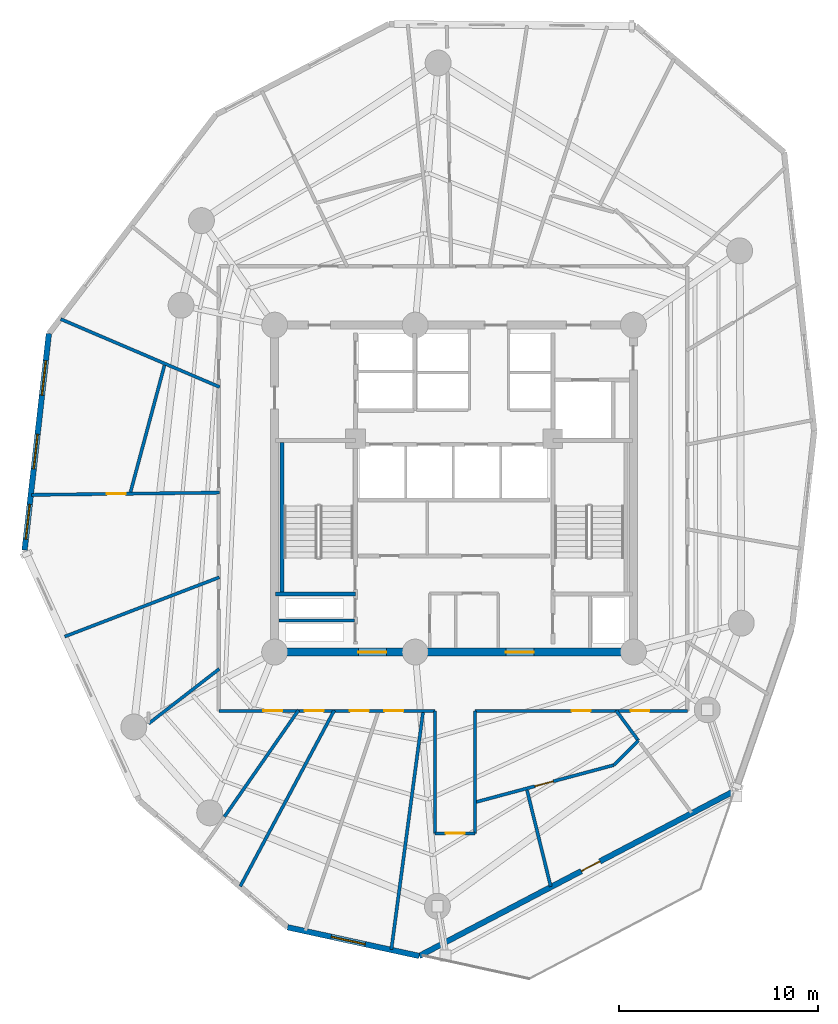
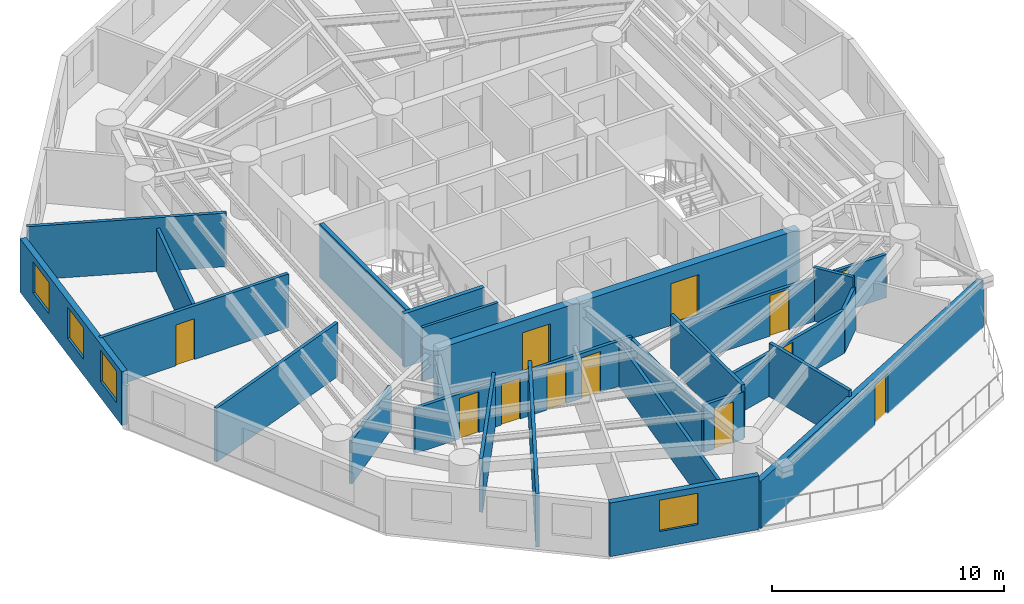
# One storey, part 3 of 10: 25 walls, 12 doors, 4 windows, 16 openings.
"""IFC4 building model written with IfcOpenShell, lengths in metres."""

from ifc_helpers import new_model, si_unit, direction, frame, frame_2d, origin, origin_with_axes, place, context, subcontext, project, spatial, rectangle, extrude, source, transform, mapped, material, layer, layer_set, type_object, element, fill, save


model = new_model("IFC4")

# Units and contexts
model_context = context("Model", 3, precision=1e-05, world=origin(), true_north=direction((0.0, 1.0)))
body_context = subcontext(model_context, "Body", "Model", "MODEL_VIEW")
ifc_project = project(units=[si_unit("LENGTHUNIT", "METRE"), si_unit("AREAUNIT", "SQUARE_METRE"), si_unit("VOLUMEUNIT", "CUBIC_METRE"), si_unit("PLANEANGLEUNIT", "RADIAN"), si_unit("MASSUNIT", "GRAM", prefix="KILO")], contexts=[model_context])

# Site, building, storey
site_placement = place(None, origin())
site = spatial("IfcSite", under=ifc_project, at=site_placement, CompositionType="ELEMENT")
building_placement = place(site_placement, origin())
building = spatial("IfcBuilding", under=site, at=building_placement, Name="Karkom Vertical University and Central Library", CompositionType="ELEMENT")
storey_placement = place(building_placement, frame((0.0, 0.0, 171.800048828125)))
storey = spatial("IfcBuildingStorey", under=building, at=storey_placement, Name="L49", CompositionType="ELEMENT", Elevation=171.800048828125)

# Wall, opening, window
ifc_material_1 = material(Name="Brick-faced precast concrete C45/55", Category="masonry")
ifc_layer_1 = layer(ifc_material_1, 0.280029296875)
ifc_layer_set_1 = layer_set([ifc_layer_1], Name="Brick-faced precast concrete C45/55")
wall_type_1 = type_object("IfcWallType", Name="ENV-WL-BRK-280", PredefinedType="SOLIDWALL", material=ifc_layer_set_1)
wall_1_placement = place(storey_placement, frame((20.1494140625, 4.4951171875, 0.0), z_axis=(0.0, 0.0, 1.0), x_axis=(0.97698126959, -0.21332510136, 0.0)))
wall_1 = element("IfcWall", 1, at=wall_1_placement, inside=storey, type_object=wall_type_1, Name="Level 49 Brick-Faced Precast Facade Wall 03", PredefinedType="SOLIDWALL", context=body_context, shape_type="SweptSolid", body=[
    extrude(rectangle(XDim=6.7568359375, YDim=0.280029296875, at=frame_2d((3.37841796875, 0.0))), origin(), (0.0, 0.0, 1.0), 2.824951171875),
])
opening_1_placement = place(wall_1_placement, frame((2.240478515625, 0.0, 0.85009765625)))
opening_1 = element("IfcOpeningElement", 2, at=opening_1_placement, cuts=wall_1, Name="Opening WN-08", PredefinedType="OPENING", context=body_context, shape_type="SweptSolid", body=[
    extrude(rectangle(XDim=1.75, YDim=1.64990234375, at=frame_2d((0.875, 0.824951171875))), frame((0.0, 0.14990234375, 0.0), z_axis=(0.0, -1.0, 0.0), x_axis=(1.0, 0.0, 0.0)), (0.0, 0.0, 1.0), 0.300048828125),
])
ifc_material_2 = material(Name="Aluminium thermal-break frame with solar-control IGU", Category="aluminium")
window_type = type_object("IfcWindowType", Name="ENV-WIN-WN-08", PartitioningType="SINGLE_PANEL", PredefinedType="WINDOW", material=ifc_material_2)
shared_shape_1 = source(origin_with_axes(), body_context, "Body", "SweptSolid", [
    extrude(rectangle(XDim=1.75, YDim=1.64990234375, at=frame_2d((0.875, 0.824951171875))), frame((0.0, 0.030029296875, 0.0), z_axis=(0.0, -1.0, 0.0), x_axis=(1.0, 0.0, 0.0)), (0.0, 0.0, 1.0), 0.06005859375),
])
window_1_placement = place(opening_1_placement, origin())
window_1 = element("IfcWindow", 3, at=window_1_placement, inside=storey, type_object=window_type, Name="Level 49 Punched Window 3.1", OverallHeight=1.64990234375, OverallWidth=1.75, PartitioningType="SINGLE_PANEL", PredefinedType="WINDOW", context=body_context, shape_type="MappedRepresentation", body=[
    mapped(shared_shape_1, transform((0.0, 0.0, 0.0), scale=1.0)),
])
fill(opening_1, window_1)

# Wall, opening, door
wall_2_placement = place(storey_placement, frame((26.750732421875, 3.0537109375, 0.0), z_axis=(0.0, 0.0, 1.0), x_axis=(0.885874198796, 0.463925537029, 0.0)))
wall_2 = element("IfcWall", 4, at=wall_2_placement, inside=storey, type_object=wall_type_1, Name="Level 49 Brick-Faced Precast Facade Wall 04", PredefinedType="SOLIDWALL", context=body_context, shape_type="SweptSolid", body=[
    extrude(rectangle(XDim=17.91943359375, YDim=0.280029296875, at=frame_2d((8.959716796875, 0.0))), origin(), (0.0, 0.0, 1.0), 2.494873046875),
])
opening_2_placement = place(wall_2_placement, frame((9.181396484375, 0.0, 0.0)))
opening_2 = element("IfcOpeningElement", 5, at=opening_2_placement, cuts=wall_2, Name="Opening TD-1", PredefinedType="OPENING", context=body_context, shape_type="SweptSolid", body=[
    extrude(rectangle(XDim=1.050048828125, YDim=2.1201171875, at=frame_2d((0.52490234375, 1.06005859375))), frame((0.0, 0.14990234375, 0.0), z_axis=(0.0, -1.0, 0.0), x_axis=(1.0, 0.0, 0.0)), (0.0, 0.0, 1.0), 0.300048828125),
])
ifc_material_3 = material(Name="Thermally broken glazed aluminium terrace door", Category="aluminium")
door_type_1 = type_object("IfcDoorType", Name="ENV-DR-TERR", OperationType="NOTDEFINED", PredefinedType="DOOR", material=ifc_material_3)
shared_shape_2 = source(origin_with_axes(), body_context, "Body", "SweptSolid", [
    extrude(rectangle(XDim=1.050048828125, YDim=2.1201171875, at=frame_2d((0.52490234375, 1.06005859375))), frame((0.0, 0.02490234375, 0.0), z_axis=(0.0, -1.0, 0.0), x_axis=(1.0, 0.0, 0.0)), (0.0, 0.0, 1.0), 0.050048828125),
])
door_1_placement = place(opening_2_placement, origin())
door_1 = element("IfcDoor", 6, at=door_1_placement, inside=storey, type_object=door_type_1, Name="Level 49 Outdoor Terrace Access Door", OperationType="SINGLE_SWING_RIGHT", OverallHeight=2.1201171875, OverallWidth=1.050048828125, PredefinedType="DOOR", context=body_context, shape_type="MappedRepresentation", body=[
    mapped(shared_shape_2, transform((0.0, 0.0, 0.0), scale=1.0)),
])
fill(opening_2, door_1)

# Wall, openings, windows
wall_3_placement = place(storey_placement, frame((8.176025390625, 34.278076171875, 0.0), z_axis=(0.0, 0.0, 1.0), x_axis=(-0.111456402668, -0.993769324493, 0.0)))
wall_3 = element("IfcWall", 7, at=wall_3_placement, inside=storey, type_object=wall_type_1, Name="Level 49 Brick-Faced Precast Facade Wall 12", PredefinedType="SOLIDWALL", context=body_context, shape_type="SweptSolid", body=[
    extrude(rectangle(XDim=10.92822265625, YDim=0.280029296875, at=frame_2d((5.464111328125, 0.0))), origin(), (0.0, 0.0, 1.0), 2.824951171875),
])
opening_3_placement = place(wall_3_placement, frame((1.3642578125, 0.0, 0.85009765625)))
opening_3 = element("IfcOpeningElement", 8, at=opening_3_placement, cuts=wall_3, Name="Opening WN-08", PredefinedType="OPENING", context=body_context, shape_type="SweptSolid", body=[
    extrude(rectangle(XDim=1.75, YDim=1.64990234375, at=frame_2d((0.875, 0.824951171875))), frame((0.0, 0.14990234375, 0.0), z_axis=(0.0, -1.0, 0.0), x_axis=(1.0, 0.0, 0.0)), (0.0, 0.0, 1.0), 0.300048828125),
])
opening_4_placement = place(wall_3_placement, frame((5.08251953125, 0.0, 0.85009765625)))
opening_4 = element("IfcOpeningElement", 9, at=opening_4_placement, cuts=wall_3, Name="Opening WN-08", PredefinedType="OPENING", context=body_context, shape_type="SweptSolid", body=[
    extrude(rectangle(XDim=1.75, YDim=1.64990234375, at=frame_2d((0.875, 0.824951171875))), frame((0.0, 0.14990234375, 0.0), z_axis=(0.0, -1.0, 0.0), x_axis=(1.0, 0.0, 0.0)), (0.0, 0.0, 1.0), 0.300048828125),
])
opening_5_placement = place(wall_3_placement, frame((8.62744140625, 0.0, 0.85009765625)))
opening_5 = element("IfcOpeningElement", 10, at=opening_5_placement, cuts=wall_3, Name="Opening WN-08", PredefinedType="OPENING", context=body_context, shape_type="SweptSolid", body=[
    extrude(rectangle(XDim=1.75, YDim=1.64990234375, at=frame_2d((0.875, 0.824951171875))), frame((0.0, 0.14990234375, 0.0), z_axis=(0.0, -1.0, 0.0), x_axis=(1.0, 0.0, 0.0)), (0.0, 0.0, 1.0), 0.300048828125),
])
window_2_placement = place(opening_3_placement, origin())
window_2 = element("IfcWindow", 11, at=window_2_placement, inside=storey, type_object=window_type, Name="Level 49 Punched Window 12.1", OverallHeight=1.64990234375, OverallWidth=1.75, PartitioningType="SINGLE_PANEL", PredefinedType="WINDOW", context=body_context, shape_type="MappedRepresentation", body=[
    mapped(shared_shape_1, transform((0.0, 0.0, 0.0), scale=1.0)),
])
fill(opening_3, window_2)
window_3_placement = place(opening_4_placement, origin())
window_3 = element("IfcWindow", 12, at=window_3_placement, inside=storey, type_object=window_type, Name="Level 49 Punched Window 12.2", OverallHeight=1.64990234375, OverallWidth=1.75, PartitioningType="SINGLE_PANEL", PredefinedType="WINDOW", context=body_context, shape_type="MappedRepresentation", body=[
    mapped(shared_shape_1, transform((0.0, 0.0, 0.0), scale=1.0)),
])
fill(opening_4, window_3)
window_4_placement = place(opening_5_placement, origin())
window_4 = element("IfcWindow", 13, at=window_4_placement, inside=storey, type_object=window_type, Name="Level 49 Punched Window 12.3", OverallHeight=1.64990234375, OverallWidth=1.75, PartitioningType="SINGLE_PANEL", PredefinedType="WINDOW", context=body_context, shape_type="MappedRepresentation", body=[
    mapped(shared_shape_1, transform((0.0, 0.0, 0.0), scale=1.0)),
])
fill(opening_5, window_4)

# Wall
ifc_material_4 = material(Name="Insulated metal-stud drywall 160mm", Category="gypsum")
ifc_layer_2 = layer(ifc_material_4, 0.159912109375)
ifc_layer_set_2 = layer_set([ifc_layer_2], Name="Insulated metal-stud drywall 160mm")
wall_type_2 = type_object("IfcWallType", Name="INT-WL-COR-160", PredefinedType="PARTITIONING", material=ifc_layer_set_2)
wall_4_placement = place(storey_placement, frame((26.955810546875, 15.379638671875, 0.0), z_axis=(0.0, 0.0, 1.0), x_axis=(-0.132261506649, -0.991214857566, 0.0)))
element("IfcWall", 14, at=wall_4_placement, inside=storey, type_object=wall_type_2, Name="Level 49 Interior Partition Wall L49-PW-009", PredefinedType="PARTITIONING", context=body_context, shape_type="SweptSolid", body=[
    extrude(rectangle(XDim=12.1015625, YDim=0.159912109375, at=frame_2d((6.05078125, 0.0))), origin(), (0.0, 0.0, 1.0), 2.27490234375),
])

# Wall, openings, doors
wall_5_placement = place(storey_placement, frame((27.550048828125, 15.35009765625, 0.0), z_axis=(0.0, 0.0, 1.0), x_axis=(-1.0, 0.0, 0.0)))
wall_5 = element("IfcWall", 15, at=wall_5_placement, inside=storey, type_object=wall_type_2, Name="Level 49 Interior Partition Wall L49-CORW-CW-001", PredefinedType="PARTITIONING", context=body_context, shape_type="SweptSolid", body=[
    extrude(rectangle(XDim=10.85009765625, YDim=0.159912109375, at=frame_2d((5.425048828125, 0.0))), origin(), (0.0, 0.0, 1.0), 2.375),
])
opening_6_placement = place(wall_5_placement, frame((7.66259765625, 0.0, 0.0)))
opening_6 = element("IfcOpeningElement", 16, at=opening_6_placement, cuts=wall_5, Name="Opening D-RM1", PredefinedType="OPENING", context=body_context, shape_type="SweptSolid", body=[
    extrude(rectangle(XDim=0.949951171875, YDim=2.14990234375, at=frame_2d((0.47509765625, 1.074951171875))), frame((0.0, 0.08984375, 0.0), z_axis=(0.0, -1.0, 0.0), x_axis=(1.0, 0.0, 0.0)), (0.0, 0.0, 1.0), 0.179931640625),
])
opening_7_placement = place(wall_5_placement, frame((5.590087890625, 0.0, 0.0)))
opening_7 = element("IfcOpeningElement", 17, at=opening_7_placement, cuts=wall_5, Name="Opening D-RM1", PredefinedType="OPENING", context=body_context, shape_type="SweptSolid", body=[
    extrude(rectangle(XDim=0.949951171875, YDim=2.14990234375, at=frame_2d((0.47509765625, 1.074951171875))), frame((0.0, 0.08984375, 0.0), z_axis=(0.0, -1.0, 0.0), x_axis=(1.0, 0.0, 0.0)), (0.0, 0.0, 1.0), 0.179931640625),
])
opening_8_placement = place(wall_5_placement, frame((3.322509765625, 0.0, 0.0)))
opening_8 = element("IfcOpeningElement", 18, at=opening_8_placement, cuts=wall_5, Name="Opening D-RM1", PredefinedType="OPENING", context=body_context, shape_type="SweptSolid", body=[
    extrude(rectangle(XDim=0.949951171875, YDim=2.14990234375, at=frame_2d((0.47509765625, 1.074951171875))), frame((0.0, 0.08984375, 0.0), z_axis=(0.0, -1.0, 0.0), x_axis=(1.0, 0.0, 0.0)), (0.0, 0.0, 1.0), 0.179931640625),
])
opening_9_placement = place(wall_5_placement, frame((1.597412109375, 0.0, 0.0)))
opening_9 = element("IfcOpeningElement", 19, at=opening_9_placement, cuts=wall_5, Name="Opening D-RM1", PredefinedType="OPENING", context=body_context, shape_type="SweptSolid", body=[
    extrude(rectangle(XDim=0.949951171875, YDim=2.14990234375, at=frame_2d((0.47509765625, 1.074951171875))), frame((0.0, 0.08984375, 0.0), z_axis=(0.0, -1.0, 0.0), x_axis=(1.0, 0.0, 0.0)), (0.0, 0.0, 1.0), 0.179931640625),
])
ifc_material_5 = material(Name="Solid-core oak veneer door", Category="wood")
door_type_2 = type_object("IfcDoorType", Name="INT-DR-RM1", OperationType="NOTDEFINED", PredefinedType="DOOR", material=ifc_material_5)
shared_shape_3 = source(origin_with_axes(), body_context, "Body", "SweptSolid", [
    extrude(rectangle(XDim=0.949951171875, YDim=2.14990234375, at=frame_2d((0.47509765625, 1.074951171875))), frame((0.0, 0.02490234375, 0.0), z_axis=(0.0, -1.0, 0.0), x_axis=(1.0, 0.0, 0.0)), (0.0, 0.0, 1.0), 0.050048828125),
])
door_2_placement = place(opening_6_placement, origin())
door_2 = element("IfcDoor", 20, at=door_2_placement, inside=storey, type_object=door_type_2, Name="Level 49 Room Entry Door 020", OperationType="SINGLE_SWING_RIGHT", OverallHeight=2.14990234375, OverallWidth=0.949951171875, PredefinedType="DOOR", context=body_context, shape_type="MappedRepresentation", body=[
    mapped(shared_shape_3, transform((0.0, 0.0, 0.0), scale=1.0)),
])
fill(opening_6, door_2)
door_3_placement = place(opening_7_placement, origin())
door_3 = element("IfcDoor", 21, at=door_3_placement, inside=storey, type_object=door_type_2, Name="Level 49 Room Entry Door 030", OperationType="SINGLE_SWING_LEFT", OverallHeight=2.14990234375, OverallWidth=0.949951171875, PredefinedType="DOOR", context=body_context, shape_type="MappedRepresentation", body=[
    mapped(shared_shape_3, transform((0.0, 0.0, 0.0), scale=1.0)),
])
fill(opening_7, door_3)
door_4_placement = place(opening_8_placement, origin())
door_4 = element("IfcDoor", 22, at=door_4_placement, inside=storey, type_object=door_type_2, Name="Level 49 Room Entry Door 040", OperationType="SINGLE_SWING_RIGHT", OverallHeight=2.14990234375, OverallWidth=0.949951171875, PredefinedType="DOOR", context=body_context, shape_type="MappedRepresentation", body=[
    mapped(shared_shape_3, transform((0.0, 0.0, 0.0), scale=1.0)),
])
fill(opening_8, door_4)
door_5_placement = place(opening_9_placement, origin())
door_5 = element("IfcDoor", 23, at=door_5_placement, inside=storey, type_object=door_type_2, Name="Level 49 Room Entry Door 050", OperationType="SINGLE_SWING_LEFT", OverallHeight=2.14990234375, OverallWidth=0.949951171875, PredefinedType="DOOR", context=body_context, shape_type="MappedRepresentation", body=[
    mapped(shared_shape_3, transform((0.0, 0.0, 0.0), scale=1.0)),
])
fill(opening_9, door_5)

wall_6_placement = place(storey_placement, frame((40.199951171875, 15.35009765625, 0.0), z_axis=(0.0, 0.0, 1.0), x_axis=(-1.0, 0.0, 0.0)))
wall_6 = element("IfcWall", 24, at=wall_6_placement, inside=storey, type_object=wall_type_2, Name="Level 49 Interior Partition Wall L49-CORW-CW-005", PredefinedType="PARTITIONING", context=body_context, shape_type="SweptSolid", body=[
    extrude(rectangle(XDim=10.64990234375, YDim=0.159912109375, at=frame_2d((5.324951171875, 0.0))), origin(), (0.0, 0.0, 1.0), 2.27490234375),
])
opening_10_placement = place(wall_6_placement, frame((4.85009765625, 0.0, 0.0)))
opening_10 = element("IfcOpeningElement", 25, at=opening_10_placement, cuts=wall_6, Name="Opening D-RM1", PredefinedType="OPENING", context=body_context, shape_type="SweptSolid", body=[
    extrude(rectangle(XDim=0.949951171875, YDim=2.14990234375, at=frame_2d((0.47509765625, 1.074951171875))), frame((0.0, 0.08984375, 0.0), z_axis=(0.0, -1.0, 0.0), x_axis=(1.0, 0.0, 0.0)), (0.0, 0.0, 1.0), 0.179931640625),
])
opening_11_placement = place(wall_6_placement, frame((1.8974609375, 0.0, 0.0)))
opening_11 = element("IfcOpeningElement", 26, at=opening_11_placement, cuts=wall_6, Name="Opening D-RM1", PredefinedType="OPENING", context=body_context, shape_type="SweptSolid", body=[
    extrude(rectangle(XDim=0.949951171875, YDim=2.14990234375, at=frame_2d((0.47509765625, 1.074951171875))), frame((0.0, 0.08984375, 0.0), z_axis=(0.0, -1.0, 0.0), x_axis=(1.0, 0.0, 0.0)), (0.0, 0.0, 1.0), 0.179931640625),
])
door_6_placement = place(opening_10_placement, origin())
door_6 = element("IfcDoor", 27, at=door_6_placement, inside=storey, type_object=door_type_2, Name="Level 49 Room Entry Door 070", OperationType="SINGLE_SWING_LEFT", OverallHeight=2.14990234375, OverallWidth=0.949951171875, PredefinedType="DOOR", context=body_context, shape_type="MappedRepresentation", body=[
    mapped(shared_shape_3, transform((0.0, 0.0, 0.0), scale=1.0)),
])
fill(opening_10, door_6)
door_7_placement = place(opening_11_placement, origin())
door_7 = element("IfcDoor", 28, at=door_7_placement, inside=storey, type_object=door_type_2, Name="Level 49 Room Entry Door 090", OperationType="SINGLE_SWING_RIGHT", OverallHeight=2.14990234375, OverallWidth=0.949951171875, PredefinedType="DOOR", context=body_context, shape_type="MappedRepresentation", body=[
    mapped(shared_shape_3, transform((0.0, 0.0, 0.0), scale=1.0)),
])
fill(opening_11, door_7)

# Wall
wall_7_placement = place(storey_placement, frame((22.49072265625, 15.37646484375, 0.0), z_axis=(0.0, 0.0, 1.0), x_axis=(-0.471112508016, -0.882073128936, 0.0)))
element("IfcWall", 29, at=wall_7_placement, inside=storey, type_object=wall_type_2, Name="Level 49 Interior Partition Wall L49-PW-007", PredefinedType="PARTITIONING", context=body_context, shape_type="SweptSolid", body=[
    extrude(rectangle(XDim=10.0048828125, YDim=0.159912109375, at=frame_2d((5.00244140625, 0.0))), origin(), (0.0, 0.0, 1.0), 2.824951171875),
])

# Wall, opening, door
wall_8_placement = place(storey_placement, frame((7.2939453125, 26.184814453125, 0.0), z_axis=(0.0, 0.0, 1.0), x_axis=(0.999927555833, 0.012036739022, 0.0)))
wall_8 = element("IfcWall", 30, at=wall_8_placement, inside=storey, type_object=wall_type_2, Name="Level 49 Interior Partition Wall L49-PW-002", PredefinedType="PARTITIONING", context=body_context, shape_type="SweptSolid", body=[
    extrude(rectangle(XDim=9.451904296875, YDim=0.159912109375, at=frame_2d((4.72607421875, 0.0))), origin(), (0.0, 0.0, 1.0), 2.824951171875),
])
opening_12_placement = place(wall_8_placement, frame((3.785888671875, 0.0, 0.0)))
opening_12 = element("IfcOpeningElement", 31, at=opening_12_placement, cuts=wall_8, Name="Opening D-RM1", PredefinedType="OPENING", context=body_context, shape_type="SweptSolid", body=[
    extrude(rectangle(XDim=0.949951171875, YDim=2.14990234375, at=frame_2d((0.47509765625, 1.074951171875))), frame((0.0, 0.08984375, 0.0), z_axis=(0.0, -1.0, 0.0), x_axis=(1.0, 0.0, 0.0)), (0.0, 0.0, 1.0), 0.179931640625),
])
door_8_placement = place(opening_12_placement, origin())
door_8 = element("IfcDoor", 32, at=door_8_placement, inside=storey, type_object=door_type_2, Name="Level 49 Room Entry Door 240", OperationType="SINGLE_SWING_LEFT", OverallHeight=2.14990234375, OverallWidth=0.949951171875, PredefinedType="DOOR", context=body_context, shape_type="MappedRepresentation", body=[
    mapped(shared_shape_3, transform((0.0, 0.0, 0.0), scale=1.0)),
])
fill(opening_12, door_8)

# Walls
wall_9_placement = place(storey_placement, frame((16.741455078125, 31.59326171875, 0.0), z_axis=(0.0, 0.0, 1.0), x_axis=(-0.919476562522, 0.393144821882, 0.0)))
element("IfcWall", 33, at=wall_9_placement, inside=storey, type_object=wall_type_2, Name="Level 49 Interior Partition Wall L49-PW-036", PredefinedType="PARTITIONING", context=body_context, shape_type="SweptSolid", body=[
    extrude(rectangle(XDim=8.676025390625, YDim=0.159912109375, at=frame_2d((4.337890625, 0.0))), origin(), (0.0, 0.0, 1.0), 2.824951171875),
])
wall_10_placement = place(storey_placement, frame((16.72802734375, 22.051513671875, 0.0), z_axis=(0.0, 0.0, 1.0), x_axis=(-0.933733515025, -0.357968885405, 0.0)))
element("IfcWall", 34, at=wall_10_placement, inside=storey, type_object=wall_type_2, Name="Level 49 Interior Partition Wall L49-PW-001", PredefinedType="PARTITIONING", context=body_context, shape_type="SweptSolid", body=[
    extrude(rectangle(XDim=8.3095703125, YDim=0.159912109375, at=frame_2d((4.15478515625, 0.0))), origin(), (0.0, 0.0, 1.0), 2.824951171875),
])

# Wall, opening, door
wall_11_placement = place(storey_placement, frame((36.508544921875, 12.628662109375, 0.0), z_axis=(0.0, 0.0, 1.0), x_axis=(-0.965925605542, -0.258819868939, 0.0)))
wall_11 = element("IfcWall", 35, at=wall_11_placement, inside=storey, type_object=wall_type_2, Name="Level 49 Interior Partition Wall L49-PW-013", PredefinedType="PARTITIONING", context=body_context, shape_type="SweptSolid", body=[
    extrude(rectangle(XDim=7.234130859375, YDim=0.159912109375, at=frame_2d((3.6171875, 0.0))), origin(), (0.0, 0.0, 1.0), 2.27490234375),
])
opening_13_placement = place(wall_11_placement, frame((3.14208984375, 0.0, 0.0)))
opening_13 = element("IfcOpeningElement", 36, at=opening_13_placement, cuts=wall_11, Name="Opening D-RM1", PredefinedType="OPENING", context=body_context, shape_type="SweptSolid", body=[
    extrude(rectangle(XDim=0.949951171875, YDim=2.14990234375, at=frame_2d((0.47509765625, 1.074951171875))), frame((0.0, 0.08984375, 0.0), z_axis=(0.0, -1.0, 0.0), x_axis=(1.0, 0.0, 0.0)), (0.0, 0.0, 1.0), 0.179931640625),
])
door_9_placement = place(opening_13_placement, origin())
door_9 = element("IfcDoor", 37, at=door_9_placement, inside=storey, type_object=door_type_2, Name="Level 49 Room Entry Door 080", OperationType="SINGLE_SWING_LEFT", OverallHeight=2.14990234375, OverallWidth=0.949951171875, PredefinedType="DOOR", context=body_context, shape_type="MappedRepresentation", body=[
    mapped(shared_shape_3, transform((0.0, 0.0, 0.0), scale=1.0)),
])
fill(opening_13, door_9)

# Walls
wall_12_placement = place(storey_placement, frame((20.69921875, 15.386962890625, 0.0), z_axis=(0.0, 0.0, 1.0), x_axis=(-0.570926088809, -0.821001462311, 0.0)))
element("IfcWall", 38, at=wall_12_placement, inside=storey, type_object=wall_type_2, Name="Level 49 Interior Partition Wall L49-PW-005", PredefinedType="PARTITIONING", context=body_context, shape_type="SweptSolid", body=[
    extrude(rectangle(XDim=6.5126953125, YDim=0.159912109375, at=frame_2d((3.25634765625, 0.0))), origin(), (0.0, 0.0, 1.0), 2.824951171875),
])
wall_13_placement = place(storey_placement, frame((13.9736328125, 32.68212890625, 0.0), z_axis=(0.0, 0.0, 1.0), x_axis=(-0.258829498698, -0.965923025196, 0.0)))
element("IfcWall", 39, at=wall_13_placement, inside=storey, type_object=wall_type_2, Name="Level 49 Interior Partition Wall L49-PW-037", PredefinedType="PARTITIONING", context=body_context, shape_type="SweptSolid", body=[
    extrude(rectangle(XDim=6.575439453125, YDim=0.159912109375, at=frame_2d((3.28759765625, 0.0))), origin(), (0.0, 0.0, 1.0), 2.27490234375),
])
wall_14_placement = place(storey_placement, frame((29.550048828125, 15.35009765625, 0.0), z_axis=(0.0, 0.0, 1.0), x_axis=(0.0, -1.0, 0.0)))
element("IfcWall", 40, at=wall_14_placement, inside=storey, type_object=wall_type_2, Name="Level 49 Interior Partition Wall L49-CORW-CW-006", PredefinedType="PARTITIONING", context=body_context, shape_type="SweptSolid", body=[
    extrude(rectangle(XDim=6.150146484375, YDim=0.159912109375, at=frame_2d((3.0751953125, 0.0))), origin(), (0.0, 0.0, 1.0), 2.824951171875),
])
wall_15_placement = place(storey_placement, frame((27.550048828125, 9.199951171875, 0.0), z_axis=(0.0, 0.0, 1.0), x_axis=(0.0, 1.0, 0.0)))
element("IfcWall", 41, at=wall_15_placement, inside=storey, type_object=wall_type_2, Name="Level 49 Interior Partition Wall L49-CORW-CW-008", PredefinedType="PARTITIONING", context=body_context, shape_type="SweptSolid", body=[
    extrude(rectangle(XDim=6.150146484375, YDim=0.159912109375, at=frame_2d((3.0751953125, 0.0))), origin(), (0.0, 0.0, 1.0), 2.27490234375),
])
wall_16_placement = place(storey_placement, frame((32.16064453125, 11.37353515625, 0.0), z_axis=(0.0, 0.0, 1.0), x_axis=(0.238968541019, -0.971027309813, 0.0)))
element("IfcWall", 42, at=wall_16_placement, inside=storey, type_object=wall_type_2, Name="Level 49 Interior Partition Wall L49-PW-011", PredefinedType="PARTITIONING", context=body_context, shape_type="SweptSolid", body=[
    extrude(rectangle(XDim=4.978515625, YDim=0.159912109375, at=frame_2d((2.4892578125, 0.0))), origin(), (0.0, 0.0, 1.0), 2.824951171875),
])
wall_17_placement = place(storey_placement, frame((16.7236328125, 17.456787109375, 0.0), z_axis=(0.0, 0.0, 1.0), x_axis=(-0.79066592858, -0.612247816969, 0.0)))
element("IfcWall", 43, at=wall_17_placement, inside=storey, type_object=wall_type_2, Name="Level 49 Interior Partition Wall L49-PW-003", PredefinedType="PARTITIONING", context=body_context, shape_type="SweptSolid", body=[
    extrude(rectangle(XDim=4.48681640625, YDim=0.159912109375, at=frame_2d((2.243408203125, 0.0))), origin(), (0.0, 0.0, 1.0), 2.27490234375),
])

# Wall, opening, door
wall_18_placement = place(storey_placement, frame((29.550048828125, 9.199951171875, 0.0), z_axis=(0.0, 0.0, 1.0), x_axis=(-1.0, 0.0, 0.0)))
wall_18 = element("IfcWall", 44, at=wall_18_placement, inside=storey, type_object=wall_type_2, Name="Level 49 Interior Partition Wall L49-CORW-CW-007", PredefinedType="PARTITIONING", context=body_context, shape_type="SweptSolid", body=[
    extrude(rectangle(XDim=2.0, YDim=0.159912109375, at=frame_2d((1.0, 0.0))), origin(), (0.0, 0.0, 1.0), 2.494873046875),
])
opening_14_placement = place(wall_18_placement, frame((0.52490234375, 0.0, 0.0)))
opening_14 = element("IfcOpeningElement", 45, at=opening_14_placement, cuts=wall_18, Name="Opening D-RM1", PredefinedType="OPENING", context=body_context, shape_type="SweptSolid", body=[
    extrude(rectangle(XDim=0.949951171875, YDim=2.14990234375, at=frame_2d((0.47509765625, 1.074951171875))), frame((0.0, 0.08984375, 0.0), z_axis=(0.0, -1.0, 0.0), x_axis=(1.0, 0.0, 0.0)), (0.0, 0.0, 1.0), 0.179931640625),
])
door_10_placement = place(opening_14_placement, origin())
door_10 = element("IfcDoor", 46, at=door_10_placement, inside=storey, type_object=door_type_2, Name="Level 49 Room Entry Door 060", OperationType="SINGLE_SWING_RIGHT", OverallHeight=2.14990234375, OverallWidth=0.949951171875, PredefinedType="DOOR", context=body_context, shape_type="MappedRepresentation", body=[
    mapped(shared_shape_3, transform((0.0, 0.0, 0.0), scale=1.0)),
])
fill(opening_14, door_10)

# Walls
wall_19_placement = place(storey_placement, frame((36.628173828125, 15.3740234375, 0.0), z_axis=(0.0, 0.0, 1.0), x_axis=(0.593385290423, -0.804918565514, 0.0)))
element("IfcWall", 47, at=wall_19_placement, inside=storey, type_object=wall_type_2, Name="Level 49 Interior Partition Wall L49-PW-014", PredefinedType="PARTITIONING", context=body_context, shape_type="SweptSolid", body=[
    extrude(rectangle(XDim=1.877685546875, YDim=0.159912109375, at=frame_2d((0.93896484375, 0.0))), origin(), (0.0, 0.0, 1.0), 2.824951171875),
])
wall_20_placement = place(storey_placement, frame((37.742431640625, 13.862548828125, 0.0), z_axis=(0.0, 0.0, 1.0), x_axis=(-0.707106781187, -0.707106781187, 0.0)))
element("IfcWall", 48, at=wall_20_placement, inside=storey, type_object=wall_type_2, Name="Level 49 Interior Partition Wall L49-PW-012", PredefinedType="PARTITIONING", context=body_context, shape_type="SweptSolid", body=[
    extrude(rectangle(XDim=1.744873046875, YDim=0.159912109375, at=frame_2d((0.87255859375, 0.0))), origin(), (0.0, 0.0, 1.0), 2.27490234375),
])
ifc_material_6 = material(Name="Metal-stud gypsum partition 140mm", Category="gypsum")
ifc_layer_3 = layer(ifc_material_6, 0.139892578125)
ifc_layer_set_3 = layer_set([ifc_layer_3], Name="Metal-stud gypsum partition 140mm")
wall_type_3 = type_object("IfcWallType", Name="INT-WL-SUB-140H", PredefinedType="PARTITIONING", material=ifc_layer_set_3)
wall_21_placement = place(storey_placement, frame((19.70703125, 19.889892578125, 0.0), z_axis=(0.0, 0.0, 1.0), x_axis=(1.0, 0.0, 0.0)))
element("IfcWall", 49, at=wall_21_placement, inside=storey, type_object=wall_type_3, Name="Level 49 Interior Partition Wall L49-CW-RIS-W", PredefinedType="PARTITIONING", context=body_context, shape_type="SweptSolid", body=[
    extrude(rectangle(XDim=3.789794921875, YDim=0.139892578125, at=frame_2d((1.89501953125, 0.0))), origin(), (0.0, 0.0, 1.0), 2.824951171875),
])

# Wall, opening, door
ifc_material_7 = material(Name="Concrete C50/60", Category="concrete")
ifc_layer_4 = layer(ifc_material_7, 0.39990234375)
ifc_layer_set_4 = layer_set([ifc_layer_4], Name="Concrete C50/60")
wall_type_4 = type_object("IfcWallType", Name="STR-WL-CW-400", PredefinedType="SHEAR", material=ifc_layer_set_4)
wall_22_placement = place(storey_placement, frame((19.5, 18.300048828125, 0.0), z_axis=(0.0, 0.0, 1.0), x_axis=(1.0, 0.0, 0.0)))
wall_22 = element("IfcWall", 50, at=wall_22_placement, inside=storey, type_object=wall_type_4, Name="Level 49 Central Core Shear Wall SW1", PredefinedType="SHEAR", context=body_context, shape_type="SweptSolid", body=[
    extrude(rectangle(XDim=7.050048828125, YDim=0.39990234375, at=frame_2d((3.52490234375, 0.0))), origin(), (0.0, 0.0, 1.0), 2.824951171875),
])
opening_15_placement = place(wall_22_placement, frame((4.199951171875, 0.0, 0.0)))
opening_15 = element("IfcOpeningElement", 51, at=opening_15_placement, cuts=wall_22, Name="Opening FD-CLB", PredefinedType="OPENING", context=body_context, shape_type="SweptSolid", body=[
    extrude(rectangle(XDim=1.39990234375, YDim=2.199951171875, at=frame_2d((0.699951171875, 1.10009765625))), frame((0.0, 0.2099609375, 0.0), z_axis=(0.0, -1.0, 0.0), x_axis=(1.0, 0.0, 0.0)), (0.0, 0.0, 1.0), 0.419921875),
])
ifc_material_8 = material(Name="Painted steel fire door", Category="steel")
door_type_3 = type_object("IfcDoorType", Name="INT-DR-CLB", OperationType="DOUBLE_DOOR_SINGLE_SWING", PredefinedType="DOOR", material=ifc_material_8)
shared_shape_4 = source(origin_with_axes(), body_context, "Body", "SweptSolid", [
    extrude(rectangle(XDim=1.39990234375, YDim=2.199951171875, at=frame_2d((0.699951171875, 1.10009765625))), frame((0.0, 0.02490234375, 0.0), z_axis=(0.0, -1.0, 0.0), x_axis=(1.0, 0.0, 0.0)), (0.0, 0.0, 1.0), 0.050048828125),
])
door_11_placement = place(opening_15_placement, origin())
door_11 = element("IfcDoor", 52, at=door_11_placement, inside=storey, type_object=door_type_3, Name="Level 49 South Core Lobby West Exit Door", OperationType="DOUBLE_DOOR_SINGLE_SWING", OverallHeight=2.199951171875, OverallWidth=1.39990234375, PredefinedType="DOOR", context=body_context, shape_type="MappedRepresentation", body=[
    mapped(shared_shape_4, transform((0.0, 0.0, 0.0), scale=1.0)),
])
fill(opening_15, door_11)

wall_23_placement = place(storey_placement, frame((26.550048828125, 18.300048828125, 0.0), z_axis=(0.0, 0.0, 1.0), x_axis=(1.0, 0.0, 0.0)))
wall_23 = element("IfcWall", 53, at=wall_23_placement, inside=storey, type_object=wall_type_4, Name="Level 49 Central Core Shear Wall SW2", PredefinedType="SHEAR", context=body_context, shape_type="SweptSolid", body=[
    extrude(rectangle(XDim=10.949951171875, YDim=0.39990234375, at=frame_2d((5.47509765625, 0.0))), origin(), (0.0, 0.0, 1.0), 2.824951171875),
])
opening_16_placement = place(wall_23_placement, frame((4.550048828125, 0.0, 0.0)))
opening_16 = element("IfcOpeningElement", 54, at=opening_16_placement, cuts=wall_23, Name="Opening FD-CLB", PredefinedType="OPENING", context=body_context, shape_type="SweptSolid", body=[
    extrude(rectangle(XDim=1.39990234375, YDim=2.199951171875, at=frame_2d((0.699951171875, 1.10009765625))), frame((0.0, 0.2099609375, 0.0), z_axis=(0.0, -1.0, 0.0), x_axis=(1.0, 0.0, 0.0)), (0.0, 0.0, 1.0), 0.419921875),
])
door_12_placement = place(opening_16_placement, origin())
door_12 = element("IfcDoor", 55, at=door_12_placement, inside=storey, type_object=door_type_3, Name="Level 49 South Core Lobby East Exit Door", OperationType="DOUBLE_DOOR_SINGLE_SWING", OverallHeight=2.199951171875, OverallWidth=1.39990234375, PredefinedType="DOOR", context=body_context, shape_type="MappedRepresentation", body=[
    mapped(shared_shape_4, transform((0.0, 0.0, 0.0), scale=1.0)),
])
fill(opening_16, door_12)

# Walls
ifc_material_9 = material(Name="Concrete C45/55", Category="concrete")
ifc_layer_5 = layer(ifc_material_9, 0.199951171875)
ifc_layer_set_5 = layer_set([ifc_layer_5], Name="Concrete C45/55")
wall_type_5 = type_object("IfcWallType", Name="STR-WL-ST-200", PredefinedType="SHEAR", material=ifc_layer_set_5)
wall_24_placement = place(storey_placement, frame((19.875, 21.320068359375, 0.0), z_axis=(0.0, 0.0, 1.0), x_axis=(0.0, 1.0, 0.0)))
element("IfcWall", 56, at=wall_24_placement, inside=storey, type_object=wall_type_5, Name="Level 49 Core Shaft Wall L49-CW-ST1-W", PredefinedType="SHEAR", context=body_context, shape_type="SweptSolid", body=[
    extrude(rectangle(XDim=7.5, YDim=0.199951171875, at=frame_2d((3.75, 0.0))), origin(), (0.0, 0.0, 1.0), 2.824951171875),
])
wall_25_placement = place(storey_placement, frame((19.550048828125, 21.215087890625, 0.0), z_axis=(0.0, 0.0, 1.0), x_axis=(1.0, 0.0, 0.0)))
element("IfcWall", 57, at=wall_25_placement, inside=storey, type_object=wall_type_5, Name="Level 49 Core Shaft Wall L49-CW-ST1-S", PredefinedType="SHEAR", context=body_context, shape_type="SweptSolid", body=[
    extrude(rectangle(XDim=3.994873046875, YDim=0.199951171875, at=frame_2d((1.99755859375, 0.0))), origin(), (0.0, 0.0, 1.0), 2.824951171875),
])

save(model, "model.ifc")
